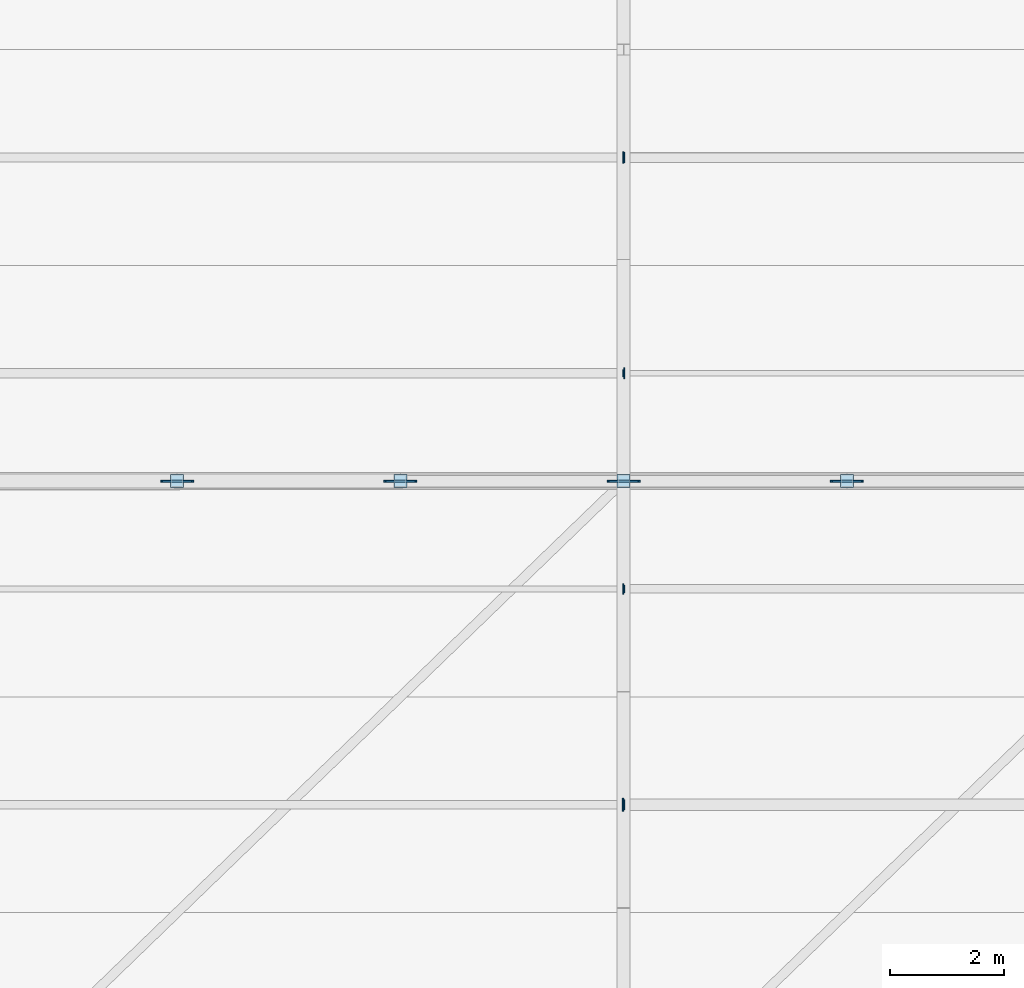
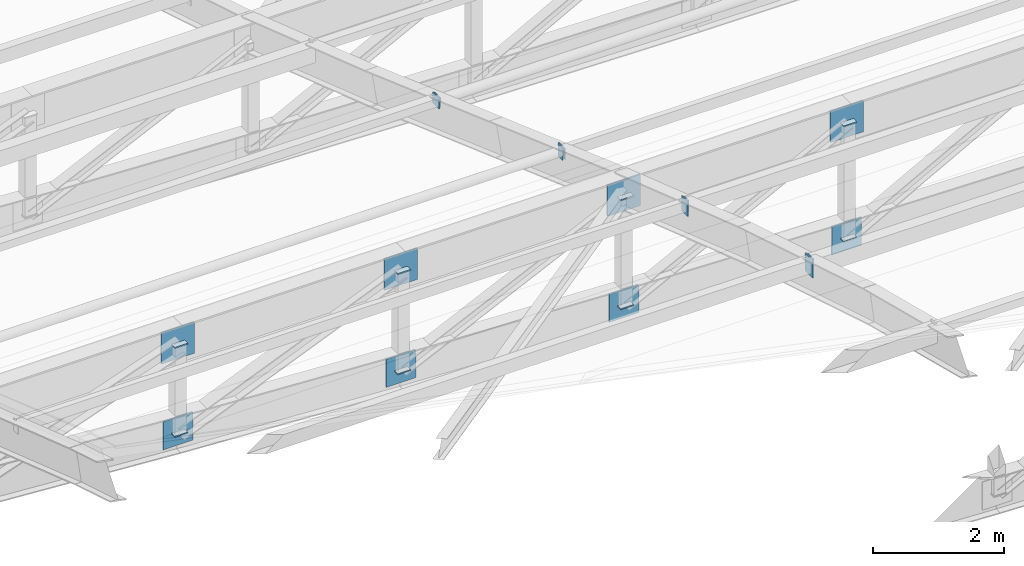
# One storey, part 40 of 65: 24 plates.
"""IFC4 building model written with IfcOpenShell, lengths in metres."""

from ifc_helpers import new_model, si_unit, direction, frame, origin, origin_2d, place, context, subcontext, project, spatial, rectangle, extrude, material, layer, layer_set, type_object, element, save


model = new_model("IFC4")

# Units and contexts
model_context = context("Model", 3, precision=1e-05, world=origin(), true_north=direction((0.0, 1.0)))
body_context = subcontext(model_context, "Body", "Model", "MODEL_VIEW")
ifc_project = project(units=[si_unit("LENGTHUNIT", "METRE"), si_unit("AREAUNIT", "SQUARE_METRE"), si_unit("VOLUMEUNIT", "CUBIC_METRE"), si_unit("PLANEANGLEUNIT", "RADIAN"), si_unit("MASSUNIT", "GRAM", prefix="KILO"), si_unit("POWERUNIT", "WATT"), si_unit("THERMODYNAMICTEMPERATUREUNIT", "KELVIN")], contexts=[model_context])

# Site, building, storey
site_placement = place(None, origin())
site = spatial("IfcSite", under=ifc_project, at=site_placement, CompositionType="ELEMENT")
building_placement = place(site_placement, origin())
building = spatial("IfcBuilding", under=site, at=building_placement, Name="Kelmbourne Parkland Aquatics Centre", CompositionType="ELEMENT")
storey_placement = place(building_placement, frame((0.0, 0.0, 27.0)))
storey = spatial("IfcBuildingStorey", under=building, at=storey_placement, Name="RF", CompositionType="ELEMENT", Elevation=27.0)

# Plates
ifc_material = material(Name="Welded plate steel AS/NZS 3678 Grade 350", Category="steel")
ifc_layer_1 = layer(ifc_material, 0.02001953125)
ifc_layer_set_1 = layer_set([ifc_layer_1], Name="Welded plate steel AS/NZS 3678 Grade 350")
plate_type_1 = type_object("IfcPlateType", Name="PL-CAP-20", PredefinedType="USERDEFINED", material=ifc_layer_set_1)
for number, where, z_axis, x_axis, name in (
    (1, (131.933349609375, 23.60009765625, -7.22119140625), (0.0, 0.0, 1.0), (1.0, 0.0, 0.0), "Hollow end cap plate CAP-0069"),
    (2, (131.933349609375, 23.60009765625, -5.563720703125), (0.0, 0.0, 1.0), (1.0, 0.0, 0.0), "Hollow end cap plate CAP-0070"),
    (3, (135.86669921875, 23.60009765625, -7.433837890625), (0.0, 0.0, 1.0), (1.0, 0.0, 0.0), "Hollow end cap plate CAP-0071"),
    (4, (135.86669921875, 23.60009765625, -5.563720703125), (0.0, 0.0, 1.0), (1.0, 0.0, 0.0), "Hollow end cap plate CAP-0072"),
    (5, (139.800048828125, 23.60009765625, -7.59912109375), (0.0, 0.0, 1.0), (1.0, 0.0, 0.0), "Hollow end cap plate CAP-0073"),
    (6, (139.800048828125, 23.60009765625, -5.563720703125), (0.0, 0.0, 1.0), (1.0, 0.0, 0.0), "Hollow end cap plate CAP-0074"),
    (7, (143.7333984375, 23.60009765625, -7.71728515625), (0.0, 0.0, 1.0), (1.0, 0.0, 0.0), "Hollow end cap plate CAP-0075"),
    (8, (143.7333984375, 23.60009765625, -5.563720703125), (0.0, 0.0, 1.0), (1.0, 0.0, 0.0), "Hollow end cap plate CAP-0076"),
):
    element("IfcPlate", number, at=place(storey_placement, frame(where, z_axis=z_axis, x_axis=x_axis)), inside=storey, type_object=plate_type_1, Name=name, ObjectType="END CAP PLATE", PredefinedType="USERDEFINED", context=body_context, shape_type="SweptSolid", body=[
        extrude(rectangle(XDim=0.22998046875, YDim=0.22998046875, at=origin_2d()), origin(), (0.0, 0.0, 1.0), 0.02001953125),
    ])
plate_1_placement = place(storey_placement, frame((139.80908203125, 17.89990234375, -3.52978515625), z_axis=(0.0, 0.0, 1.0), x_axis=(1.0, 0.0, 0.0)))
element("IfcPlate", 9, at=plate_1_placement, inside=storey, type_object=plate_type_1, Name="Hollow end cap plate CAP-0334", ObjectType="END CAP PLATE", PredefinedType="USERDEFINED", context=body_context, shape_type="SweptSolid", body=[
    extrude(rectangle(XDim=0.02001953125, YDim=0.179931640625, at=origin_2d()), origin(), (0.0, 0.0, 1.0), 0.280029296875),
])
plate_2_placement = place(storey_placement, frame((139.80908203125, 21.699951171875, -4.702880859375), z_axis=(0.0, 0.0, 1.0), x_axis=(1.0, 0.0, 0.0)))
element("IfcPlate", 10, at=plate_2_placement, inside=storey, type_object=plate_type_1, Name="Hollow end cap plate CAP-0342", ObjectType="END CAP PLATE", PredefinedType="USERDEFINED", context=body_context, shape_type="SweptSolid", body=[
    extrude(rectangle(XDim=0.02001953125, YDim=0.1298828125, at=origin_2d()), origin(), (0.0, 0.0, 1.0), 0.22998046875),
])
plate_3_placement = place(storey_placement, frame((139.791015625, 21.699951171875, -4.7529296875), z_axis=(0.0, 0.0, 1.0), x_axis=(-1.0, 0.0, 0.0)))
element("IfcPlate", 11, at=plate_3_placement, inside=storey, type_object=plate_type_1, Name="Hollow end cap plate CAP-0343", ObjectType="END CAP PLATE", PredefinedType="USERDEFINED", context=body_context, shape_type="SweptSolid", body=[
    extrude(rectangle(XDim=0.02001953125, YDim=0.179931640625, at=origin_2d()), origin(), (0.0, 0.0, 1.0), 0.280029296875),
])
plate_4_placement = place(storey_placement, frame((139.80908203125, 25.5, -5.99462890625), z_axis=(0.0, 0.0, 1.0), x_axis=(1.0, 0.0, 0.0)))
element("IfcPlate", 12, at=plate_4_placement, inside=storey, type_object=plate_type_1, Name="Hollow end cap plate CAP-0350", ObjectType="END CAP PLATE", PredefinedType="USERDEFINED", context=body_context, shape_type="SweptSolid", body=[
    extrude(rectangle(XDim=0.02001953125, YDim=0.1982421875, at=origin_2d()), origin(), (0.0, 0.0, 1.0), 0.1982421875),
])
plate_5_placement = place(storey_placement, frame((139.791015625, 25.5, -6.0263671875), z_axis=(0.0, 0.0, 1.0), x_axis=(-1.0, 0.0, 0.0)))
element("IfcPlate", 13, at=plate_5_placement, inside=storey, type_object=plate_type_1, Name="Hollow end cap plate CAP-0351", ObjectType="END CAP PLATE", PredefinedType="USERDEFINED", context=body_context, shape_type="SweptSolid", body=[
    extrude(rectangle(XDim=0.02001953125, YDim=0.1298828125, at=origin_2d()), origin(), (0.0, 0.0, 1.0), 0.22998046875),
])
plate_6_placement = place(storey_placement, frame((139.80908203125, 29.300048828125, -7.33349609375), z_axis=(0.0, 0.0, 1.0), x_axis=(1.0, 0.0, 0.0)))
element("IfcPlate", 14, at=plate_6_placement, inside=storey, type_object=plate_type_1, Name="Hollow end cap plate CAP-0358", ObjectType="END CAP PLATE", PredefinedType="USERDEFINED", context=body_context, shape_type="SweptSolid", body=[
    extrude(rectangle(XDim=0.02001953125, YDim=0.179931640625, at=origin_2d()), origin(), (0.0, 0.0, 1.0), 0.179931640625),
])
plate_7_placement = place(storey_placement, frame((139.791015625, 29.300048828125, -7.35205078125), z_axis=(0.0, 0.0, 1.0), x_axis=(-1.0, 0.0, 0.0)))
element("IfcPlate", 15, at=plate_7_placement, inside=storey, type_object=plate_type_1, Name="Hollow end cap plate CAP-0359", ObjectType="END CAP PLATE", PredefinedType="USERDEFINED", context=body_context, shape_type="SweptSolid", body=[
    extrude(rectangle(XDim=0.02001953125, YDim=0.1982421875, at=origin_2d()), origin(), (0.0, 0.0, 1.0), 0.1982421875),
])
ifc_layer_2 = layer(ifc_material, 0.02392578125)
ifc_layer_set_2 = layer_set([ifc_layer_2], Name="Welded plate steel AS/NZS 3678 Grade 350")
plate_type_2 = type_object("IfcPlateType", Name="PL-CAP-24", PredefinedType="USERDEFINED", material=ifc_layer_set_2)
plate_8_placement = place(storey_placement, frame((139.7890625, 17.89990234375, -3.580078125), z_axis=(0.0, 0.0, 1.0), x_axis=(-1.0, 0.0, 0.0)))
element("IfcPlate", 16, at=plate_8_placement, inside=storey, type_object=plate_type_2, Name="Hollow end cap plate CAP-0335", ObjectType="END CAP PLATE", PredefinedType="USERDEFINED", context=body_context, shape_type="SweptSolid", body=[
    extrude(rectangle(XDim=0.02392578125, YDim=0.22998046875, at=origin_2d()), origin(), (0.0, 0.0, 1.0), 0.330078125),
])
ifc_layer_3 = layer(ifc_material, 0.031982421875)
ifc_layer_set_3 = layer_set([ifc_layer_3], Name="Welded plate steel AS/NZS 3678 Grade 350")
plate_type_3 = type_object("IfcPlateType", Name="PL-GUS-3", PredefinedType="USERDEFINED", material=ifc_layer_set_3)
plate_9_placement = place(storey_placement, frame((131.933349609375, 23.60009765625, -5.8525390625), z_axis=(0.0, 0.0, 1.0), x_axis=(1.0, 0.0, 0.0)))
element("IfcPlate", 17, at=plate_9_placement, inside=storey, type_object=plate_type_3, Name="Truss top node TN-3 gusset plate R02-N1", ObjectType="GUSSET PLATE", PredefinedType="USERDEFINED", context=body_context, shape_type="SweptSolid", body=[
    extrude(rectangle(XDim=0.580078125, YDim=0.031982421875, at=origin_2d()), origin(), (0.0, 0.0, 1.0), 0.580078125),
])
plate_10_placement = place(storey_placement, frame((131.933349609375, 23.60009765625, -7.46240234375), z_axis=(0.0, 0.0, 1.0), x_axis=(1.0, 0.0, 0.0)))
element("IfcPlate", 18, at=plate_10_placement, inside=storey, type_object=plate_type_3, Name="Truss bottom node TN-3 gusset plate R02-B1", ObjectType="GUSSET PLATE", PredefinedType="USERDEFINED", context=body_context, shape_type="SweptSolid", body=[
    extrude(rectangle(XDim=0.52001953125, YDim=0.031982421875, at=origin_2d()), origin(), (0.0, 0.0, 1.0), 0.52001953125),
])
plate_11_placement = place(storey_placement, frame((135.86669921875, 23.60009765625, -5.8525390625), z_axis=(0.0, 0.0, 1.0), x_axis=(1.0, 0.0, 0.0)))
element("IfcPlate", 19, at=plate_11_placement, inside=storey, type_object=plate_type_3, Name="Truss top node TN-3 gusset plate R02-N2", ObjectType="GUSSET PLATE", PredefinedType="USERDEFINED", context=body_context, shape_type="SweptSolid", body=[
    extrude(rectangle(XDim=0.580078125, YDim=0.031982421875, at=origin_2d()), origin(), (0.0, 0.0, 1.0), 0.580078125),
])
plate_12_placement = place(storey_placement, frame((135.86669921875, 23.60009765625, -7.6748046875), z_axis=(0.0, 0.0, 1.0), x_axis=(1.0, 0.0, 0.0)))
element("IfcPlate", 20, at=plate_12_placement, inside=storey, type_object=plate_type_3, Name="Truss bottom node TN-3 gusset plate R02-B2", ObjectType="GUSSET PLATE", PredefinedType="USERDEFINED", context=body_context, shape_type="SweptSolid", body=[
    extrude(rectangle(XDim=0.52001953125, YDim=0.031982421875, at=origin_2d()), origin(), (0.0, 0.0, 1.0), 0.52001953125),
])
plate_13_placement = place(storey_placement, frame((139.800048828125, 23.60009765625, -5.8525390625), z_axis=(0.0, 0.0, 1.0), x_axis=(1.0, 0.0, 0.0)))
element("IfcPlate", 21, at=plate_13_placement, inside=storey, type_object=plate_type_3, Name="Truss top node TN-3 gusset plate R02-N3", ObjectType="GUSSET PLATE", PredefinedType="USERDEFINED", context=body_context, shape_type="SweptSolid", body=[
    extrude(rectangle(XDim=0.580078125, YDim=0.031982421875, at=origin_2d()), origin(), (0.0, 0.0, 1.0), 0.580078125),
])
plate_14_placement = place(storey_placement, frame((139.800048828125, 23.60009765625, -7.840087890625), z_axis=(0.0, 0.0, 1.0), x_axis=(1.0, 0.0, 0.0)))
element("IfcPlate", 22, at=plate_14_placement, inside=storey, type_object=plate_type_3, Name="Truss bottom node TN-3 gusset plate R02-B3", ObjectType="GUSSET PLATE", PredefinedType="USERDEFINED", context=body_context, shape_type="SweptSolid", body=[
    extrude(rectangle(XDim=0.52001953125, YDim=0.031982421875, at=origin_2d()), origin(), (0.0, 0.0, 1.0), 0.52001953125),
])
plate_15_placement = place(storey_placement, frame((143.7333984375, 23.60009765625, -5.8525390625), z_axis=(0.0, 0.0, 1.0), x_axis=(1.0, 0.0, 0.0)))
element("IfcPlate", 23, at=plate_15_placement, inside=storey, type_object=plate_type_3, Name="Truss top node TN-3 gusset plate R02-N4", ObjectType="GUSSET PLATE", PredefinedType="USERDEFINED", context=body_context, shape_type="SweptSolid", body=[
    extrude(rectangle(XDim=0.580078125, YDim=0.031982421875, at=origin_2d()), origin(), (0.0, 0.0, 1.0), 0.580078125),
])
plate_16_placement = place(storey_placement, frame((143.7333984375, 23.60009765625, -7.958251953125), z_axis=(0.0, 0.0, 1.0), x_axis=(1.0, 0.0, 0.0)))
element("IfcPlate", 24, at=plate_16_placement, inside=storey, type_object=plate_type_3, Name="Truss bottom node TN-3 gusset plate R02-B4", ObjectType="GUSSET PLATE", PredefinedType="USERDEFINED", context=body_context, shape_type="SweptSolid", body=[
    extrude(rectangle(XDim=0.52001953125, YDim=0.031982421875, at=origin_2d()), origin(), (0.0, 0.0, 1.0), 0.52001953125),
])

save(model, "model.ifc")
